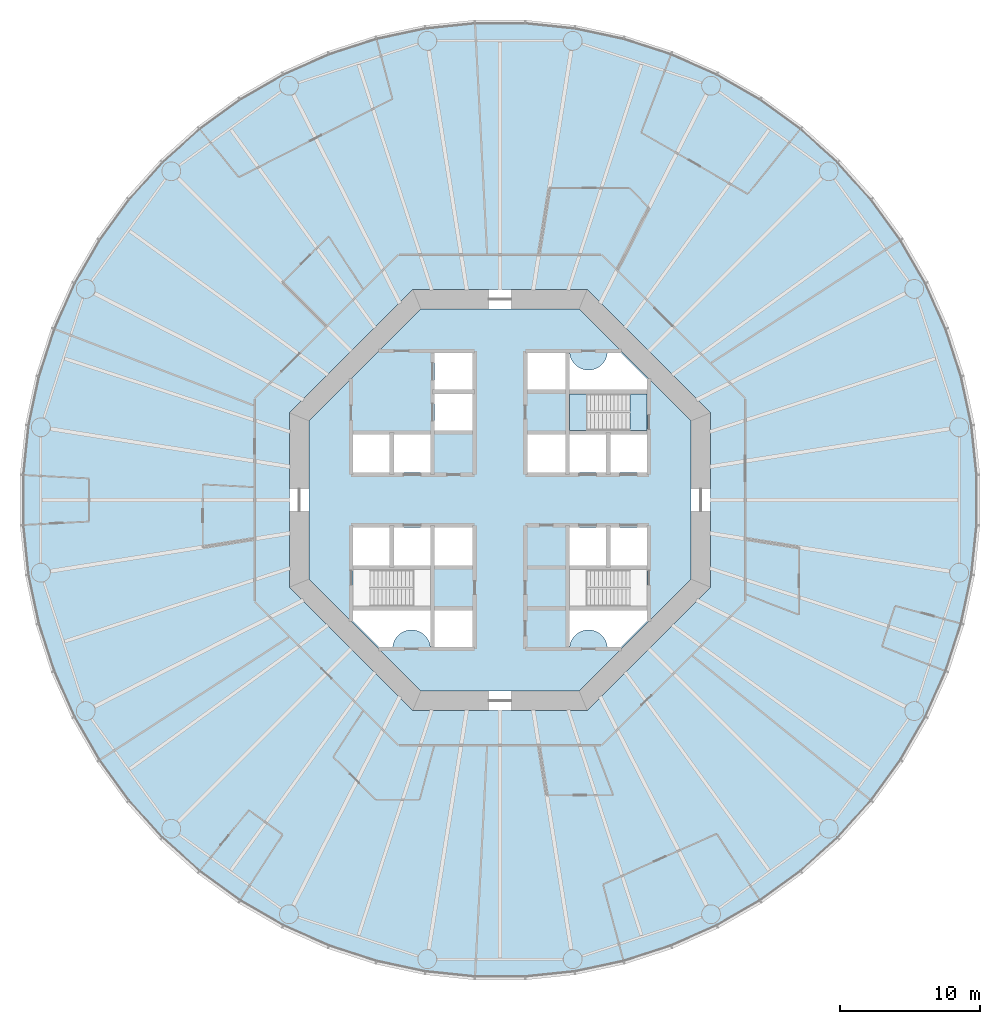
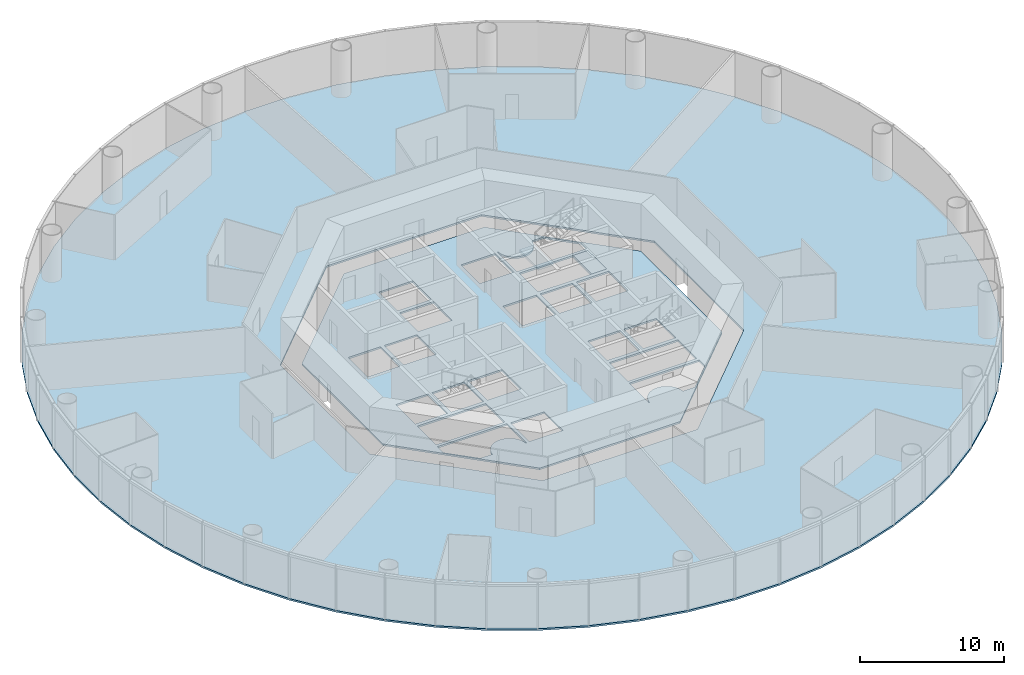
# One storey, part 2 of 13: 4 slabs, 1 element without a shape of its own.
"""IFC4 building model written with IfcOpenShell, lengths in metres."""

import ifcopenshell
import ifcopenshell.guid

model = None  # the IFC model being written
_history = None  # IfcOwnerHistory: only IFC2X3 demands one
_inside = {}  # id of a spatial element -> (the spatial element, [elements in it])
_under = {}  # id of a project, library or spatial element -> (it, [spatial elements below it])
_declared = {}  # id of a project -> (the project, [libraries it declares])
_typed = {}  # id of a type object -> (the type object, [elements of that type])
_made_of = {}  # id of a material, layer set ... -> (it, [elements and type objects made of it])


def new_model(schema):
    """Start an empty IFC model of exactly this schema.

    Asked for "IFC4X3", IfcOpenShell would pick the latest addendum, in which some entities
    have other attributes; the version numbers below select the first issue.
    IFC2X3 requires an IfcOwnerHistory on every rooted entity: one is made here for all.
    """
    global model, _history
    if schema == "IFC4X3":
        model = ifcopenshell.file(schema_version=(4, 3, 0, 0))
    else:
        model = ifcopenshell.file(schema=schema)
    _inside.clear()
    _under.clear()
    _declared.clear()
    _typed.clear()
    _made_of.clear()
    _history = None
    if model.schema == "IFC2X3":
        org = make("IfcOrganization", Name="unknown")
        user = make(
            "IfcPersonAndOrganization",
            ThePerson=make("IfcPerson", FamilyName="unknown"),
            TheOrganization=org,
        )
        app = make(
            "IfcApplication",
            ApplicationDeveloper=org,
            Version="unknown",
            ApplicationFullName="unknown",
            ApplicationIdentifier="unknown",
        )
        _history = make(
            "IfcOwnerHistory",
            OwningUser=user,
            OwningApplication=app,
            ChangeAction="ADDED",
            CreationDate=0,
        )
    return model


def make(cls, **values):
    """One entity of the class cls with the attributes given. An attribute that is None is left unset."""
    return model.create_entity(
        cls, **{name: value for name, value in values.items() if value is not None}
    )


def rooted(cls, **values):
    """An entity with a GlobalId (a new one), such as an element, a storey or a relation."""
    return make(cls, GlobalId=ifcopenshell.guid.new(), OwnerHistory=_history, **values)


def si_unit(unit_type, name, prefix=None):
    """IfcSIUnit, for example si_unit("LENGTHUNIT", "METRE", prefix="MILLI")."""
    return make("IfcSIUnit", UnitType=unit_type, Prefix=prefix, Name=name)


def assignment(units):
    """IfcUnitAssignment: the units of a project."""
    return None if units is None else make("IfcUnitAssignment", Units=units)


def point(xyz):
    """IfcCartesianPoint."""
    return None if xyz is None else make("IfcCartesianPoint", Coordinates=xyz)


def direction(xyz):
    """IfcDirection."""
    return None if xyz is None else make("IfcDirection", DirectionRatios=xyz)


def frame(location, z_axis=None, x_axis=None):
    """IfcAxis2Placement3D, a coordinate frame: its origin and axes. An axis left out is left unset."""
    return make(
        "IfcAxis2Placement3D",
        Location=point(location),
        Axis=direction(z_axis),
        RefDirection=direction(x_axis),
    )


def origin():
    """The frame at (0, 0, 0) with its axes left unset."""
    return frame((0.0, 0.0, 0.0))


def place(relative_to, where):
    """IfcLocalPlacement: puts the frame where relative to a parent placement (None: the world)."""
    return make(
        "IfcLocalPlacement", PlacementRelTo=relative_to, RelativePlacement=where
    )


def context(
    kind, dimensions, precision=None, world=None, true_north=None, identifier=None
):
    """IfcGeometricRepresentationContext, for example the 3D "Model" context."""
    return make(
        "IfcGeometricRepresentationContext",
        ContextIdentifier=identifier,
        ContextType=kind,
        CoordinateSpaceDimension=dimensions,
        Precision=precision,
        WorldCoordinateSystem=world,
        TrueNorth=true_north,
    )


def subcontext(parent, identifier, kind, view, scale=None):
    """IfcGeometricRepresentationSubContext, for example "Body" below "Model"."""
    return make(
        "IfcGeometricRepresentationSubContext",
        ContextIdentifier=identifier,
        ContextType=kind,
        ParentContext=parent,
        TargetScale=scale,
        TargetView=view,
    )


def project(units=None, contexts=None):
    """IfcProject with its units and contexts."""
    return rooted(
        "IfcProject",
        Name="project",
        RepresentationContexts=contexts,
        UnitsInContext=assignment(units),
    )


def spatial(cls, under=None, at=None, **own):
    """A site, building, storey or space (cls), placed at a placement, below another one or the project."""
    s = rooted(cls, ObjectPlacement=at, **own)
    if under is not None:
        _under.setdefault(under.id(), (under, []))[1].append(s)
    return s


def polyline(points):
    """IfcPolyline through the points."""
    return make("IfcPolyline", Points=[point(p) for p in points])


def outline(outer, holes=None, kind="AREA"):
    """IfcArbitraryClosedProfileDef: a profile drawn as a closed curve; with holes, ...WithVoids."""
    if holes is None:
        return make("IfcArbitraryClosedProfileDef", ProfileType=kind, OuterCurve=outer)
    return make(
        "IfcArbitraryProfileDefWithVoids",
        ProfileType=kind,
        OuterCurve=outer,
        InnerCurves=holes,
    )


def extrude(swept, where, along, depth):
    """IfcExtrudedAreaSolid: the profile swept, set in the frame where, extruded along a direction by depth."""
    return make(
        "IfcExtrudedAreaSolid",
        SweptArea=swept,
        Position=where,
        ExtrudedDirection=direction(along),
        Depth=depth,
    )


def shape(context_of_items, identifier, shape_type, items):
    """IfcShapeRepresentation: the items that make up one representation, for example the "Body"."""
    return make(
        "IfcShapeRepresentation",
        ContextOfItems=context_of_items,
        RepresentationIdentifier=identifier,
        RepresentationType=shape_type,
        Items=items,
    )


def material(Name=None, Category=None):
    """IfcMaterial."""
    return make("IfcMaterial", Name=Name, Category=Category)


def layer(
    of_material, thickness, ventilated=None, Name=None, Category=None, Priority=None
):
    """IfcMaterialLayer: one layer of a wall or slab, of a material (None: an air gap)."""
    return make(
        "IfcMaterialLayer",
        Material=of_material,
        LayerThickness=thickness,
        IsVentilated=ventilated,
        Name=Name,
        Category=Category,
        Priority=Priority,
    )


def layer_set(layers, Name=None):
    """IfcMaterialLayerSet."""
    return make("IfcMaterialLayerSet", MaterialLayers=layers, LayerSetName=Name)


def made_of(thing, what):
    """Note that an element or type object is made of a material, layer set ...; save() writes the relation."""
    if what is not None:
        _made_of.setdefault(what.id(), (what, []))[1].append(thing)
    return thing


def type_object(cls, material=None, **own):
    """A type object (cls), such as IfcWallType, which elements share."""
    return made_of(rooted(cls, **own), material)


def element(
    cls,
    number,
    at=None,
    inside=None,
    cuts=None,
    type_object=None,
    material=None,
    context=None,
    identifier="Body",
    shape_type=None,
    held_by="IfcProductDefinitionShape",
    body=None,
    shapes=None,
    **own,
):
    """One element of the class cls, such as IfcWall. Its Tag is "e" and its number.

    at: its placement. inside: the storey or other place that contains it. cuts: it is an
    opening in that element (IfcRelVoidsElement). A single representation is given by context,
    identifier, shape_type and body (its items); several are given by shapes. held_by: the class
    of the entity that holds the representations. save() writes the other relations.
    """
    e = rooted(cls, Tag="e%d" % number, ObjectPlacement=at, **own)
    if body is not None:
        shapes = [shape(context, identifier, shape_type, body)]
    if shapes is not None:
        e.Representation = make(held_by, Representations=shapes)
    if inside is not None:
        _inside.setdefault(inside.id(), (inside, []))[1].append(e)
    if cuts is not None:
        rooted(
            "IfcRelVoidsElement", RelatingBuildingElement=cuts, RelatedOpeningElement=e
        )
    if type_object is not None:
        _typed.setdefault(type_object.id(), (type_object, []))[1].append(e)
    return made_of(e, material)


def aggregate(whole, parts):
    """IfcRelAggregates: a whole, such as a stair, and the parts it consists of."""
    return rooted("IfcRelAggregates", RelatingObject=whole, RelatedObjects=parts)


def save(model, path):
    """Write the relations noted so far, then the file.

    IfcRelAggregates (storeys below a building ...), IfcRelContainedInSpatialStructure (elements
    in a storey), IfcRelDefinesByType, IfcRelAssociatesMaterial and IfcRelDeclares: one each for
    every whole, place, type object, material and project.
    """
    for whole, parts in _under.values():
        aggregate(whole, parts)
    for where, things in _inside.values():
        rooted(
            "IfcRelContainedInSpatialStructure",
            RelatedElements=things,
            RelatingStructure=where,
        )
    for kind, things in _typed.values():
        rooted("IfcRelDefinesByType", RelatedObjects=things, RelatingType=kind)
    for what, things in _made_of.values():
        rooted("IfcRelAssociatesMaterial", RelatedObjects=things, RelatingMaterial=what)
    for by, libraries in _declared.values():
        rooted("IfcRelDeclares", RelatingContext=by, RelatedDefinitions=libraries)
    model.write(path)


model = new_model("IFC4")

# Units and contexts
model_context = context("Model", 3, precision=1e-05, world=origin(), true_north=direction((0.0, 1.0)))
body_context = subcontext(model_context, "Body", "Model", "MODEL_VIEW")
ifc_project = project(units=[si_unit("LENGTHUNIT", "METRE"), si_unit("AREAUNIT", "SQUARE_METRE"), si_unit("VOLUMEUNIT", "CUBIC_METRE"), si_unit("PLANEANGLEUNIT", "RADIAN"), si_unit("MASSUNIT", "GRAM", prefix="KILO")], contexts=[model_context])

# Site, building, storey
site_placement = place(None, origin())
site = spatial("IfcSite", under=ifc_project, at=site_placement, CompositionType="ELEMENT")
building_placement = place(site_placement, origin())
building = spatial("IfcBuilding", under=site, at=building_placement, Name="Entoto Ring Tower", CompositionType="ELEMENT")
storey_placement = place(building_placement, frame((0.0, 0.0, 30.0)))
storey = spatial("IfcBuildingStorey", under=building, at=storey_placement, Name="L05", CompositionType="ELEMENT", Elevation=30.0)

# Slabs
ifc_material_1 = material(Name="Concrete C30/37", Category="concrete")
ifc_layer_1 = layer(ifc_material_1, 0.14990234375)
ifc_layer_set_1 = layer_set([ifc_layer_1], Name="Concrete C30/37")
slab_type_1 = type_object("IfcSlabType", Name="Composite floor slab 150 mm", PredefinedType="FLOOR", material=ifc_layer_set_1)
slab_1_placement = place(storey_placement, frame((0.0, 0.0, -0.14990234375)))
element("IfcSlab", 1, at=slab_1_placement, inside=storey, type_object=slab_type_1, Name="Floor slab L05", PredefinedType="FLOOR", context=body_context, shape_type="SweptSolid", body=[
    extrude(outline(polyline([(123.68017578125, 85.33447265625), (122.93798828125, 88.82568359375), (121.835205078125, 92.220458984375), (120.38330078125, 95.48095703125), (118.5986328125, 98.572265625), (116.500732421875, 101.459716796875), (114.1123046875, 104.1123046875), (111.459716796875, 106.500732421875), (108.572265625, 108.5986328125), (105.48095703125, 110.38330078125), (102.220458984375, 111.835205078125), (98.82568359375, 112.93798828125), (95.33447265625, 113.68017578125), (91.78466796875, 114.05322265625), (88.21533203125, 114.05322265625), (84.66552734375, 113.68017578125), (81.17431640625, 112.93798828125), (77.779541015625, 111.835205078125), (74.51904296875, 110.38330078125), (71.427734375, 108.5986328125), (68.540283203125, 106.500732421875), (65.8876953125, 104.1123046875), (63.499267578125, 101.459716796875), (61.4013671875, 98.572265625), (59.61669921875, 95.48095703125), (58.164794921875, 92.220458984375), (57.06201171875, 88.82568359375), (56.31982421875, 85.33447265625), (55.94677734375, 81.78466796875), (55.94677734375, 78.21533203125), (56.31982421875, 74.66552734375), (57.06201171875, 71.17431640625), (58.164794921875, 67.779541015625), (59.61669921875, 64.51904296875), (61.4013671875, 61.427734375), (63.499267578125, 58.540283203125), (65.8876953125, 55.8876953125), (68.540283203125, 53.499267578125), (71.427734375, 51.4013671875), (74.51904296875, 49.61669921875), (77.779541015625, 48.164794921875), (81.17431640625, 47.06201171875), (84.66552734375, 46.31982421875), (88.21533203125, 45.94677734375), (91.78466796875, 45.94677734375), (95.33447265625, 46.31982421875), (98.82568359375, 47.06201171875), (102.220458984375, 48.164794921875), (105.48095703125, 49.61669921875), (108.572265625, 51.4013671875), (111.459716796875, 53.499267578125), (114.1123046875, 55.8876953125), (116.500732421875, 58.540283203125), (118.5986328125, 61.427734375), (120.38330078125, 64.51904296875), (121.835205078125, 67.779541015625), (122.93798828125, 71.17431640625), (123.68017578125, 74.66552734375), (124.05322265625, 78.21533203125), (124.05322265625, 81.78466796875), (123.68017578125, 85.33447265625)]), holes=[polyline([(105.0, 73.786865234375), (105.0, 86.213134765625), (96.213134765625, 95.0), (83.786865234375, 95.0), (75.0, 86.213134765625), (75.0, 73.786865234375), (83.786865234375, 65.0), (96.213134765625, 65.0), (105.0, 73.786865234375)])]), origin(), (0.0, 0.0, 1.0), 0.14990234375),
])
ifc_material_2 = material(Name="Concrete C40/50", Category="concrete")
ifc_layer_2 = layer(ifc_material_2, 0.14990234375)
ifc_layer_set_2 = layer_set([ifc_layer_2], Name="Concrete C40/50")
slab_type_2 = type_object("IfcSlabType", Name="Core floor slab 150 mm reinforced concrete C40/50", PredefinedType="FLOOR", material=ifc_layer_set_2)
slab_2_placement = place(storey_placement, frame((0.0, 0.0, -0.14990234375)))
element("IfcSlab", 2, at=slab_2_placement, inside=storey, type_object=slab_type_2, Name="Core floor L05", PredefinedType="FLOOR", context=body_context, shape_type="SweptSolid", body=[
    extrude(outline(polyline([(103.60009765625, 74.36669921875), (103.60009765625, 85.63330078125), (95.63330078125, 93.60009765625), (84.36669921875, 93.60009765625), (76.39990234375, 85.63330078125), (76.39990234375, 74.36669921875), (84.36669921875, 66.39990234375), (95.63330078125, 66.39990234375), (103.60009765625, 74.36669921875)]), holes=[polyline([(100.449951171875, 84.949951171875), (100.449951171875, 87.550048828125), (94.949951171875, 87.550048828125), (94.949951171875, 84.949951171875), (100.449951171875, 84.949951171875)]), polyline([(85.050048828125, 72.449951171875), (85.050048828125, 75.050048828125), (79.550048828125, 75.050048828125), (79.550048828125, 72.449951171875), (85.050048828125, 72.449951171875)]), polyline([(100.449951171875, 72.449951171875), (100.449951171875, 75.050048828125), (94.949951171875, 75.050048828125), (94.949951171875, 72.449951171875), (100.449951171875, 72.449951171875)]), polyline([(94.949951171875, 81.949951171875), (97.550048828125, 81.949951171875), (97.550048828125, 84.64990234375), (94.949951171875, 84.64990234375), (94.949951171875, 81.949951171875)]), polyline([(97.85009765625, 81.949951171875), (100.449951171875, 81.949951171875), (100.449951171875, 84.64990234375), (97.85009765625, 84.64990234375), (97.85009765625, 81.949951171875)]), polyline([(82.449951171875, 81.949951171875), (85.050048828125, 81.949951171875), (85.050048828125, 84.64990234375), (82.449951171875, 84.64990234375), (82.449951171875, 81.949951171875)]), polyline([(94.949951171875, 75.35009765625), (97.550048828125, 75.35009765625), (97.550048828125, 78.050048828125), (94.949951171875, 78.050048828125), (94.949951171875, 75.35009765625)]), polyline([(97.85009765625, 75.35009765625), (100.449951171875, 75.35009765625), (100.449951171875, 78.050048828125), (97.85009765625, 78.050048828125), (97.85009765625, 75.35009765625)]), polyline([(82.449951171875, 75.35009765625), (85.050048828125, 75.35009765625), (85.050048828125, 78.050048828125), (82.449951171875, 78.050048828125), (82.449951171875, 75.35009765625)]), polyline([(79.550048828125, 81.949951171875), (82.14990234375, 81.949951171875), (82.14990234375, 84.64990234375), (79.550048828125, 84.64990234375), (79.550048828125, 81.949951171875)]), polyline([(79.550048828125, 75.35009765625), (82.14990234375, 75.35009765625), (82.14990234375, 78.050048828125), (79.550048828125, 78.050048828125), (79.550048828125, 75.35009765625)]), polyline([(91.949951171875, 87.85009765625), (94.64990234375, 87.85009765625), (94.64990234375, 90.449951171875), (91.949951171875, 90.449951171875), (91.949951171875, 87.85009765625)]), polyline([(85.35009765625, 69.550048828125), (88.050048828125, 69.550048828125), (88.050048828125, 72.14990234375), (85.35009765625, 72.14990234375), (85.35009765625, 69.550048828125)]), polyline([(91.949951171875, 81.949951171875), (94.64990234375, 81.949951171875), (94.64990234375, 84.64990234375), (91.949951171875, 84.64990234375), (91.949951171875, 81.949951171875)]), polyline([(85.35009765625, 75.35009765625), (88.050048828125, 75.35009765625), (88.050048828125, 78.050048828125), (85.35009765625, 78.050048828125), (85.35009765625, 75.35009765625)]), polyline([(85.35009765625, 84.949951171875), (88.050048828125, 84.949951171875), (88.050048828125, 87.550048828125), (85.35009765625, 87.550048828125), (85.35009765625, 84.949951171875)]), polyline([(85.35009765625, 87.85009765625), (88.050048828125, 87.85009765625), (88.050048828125, 90.449951171875), (85.35009765625, 90.449951171875), (85.35009765625, 87.85009765625)]), polyline([(94.89990234375, 90.5), (94.89990234375, 87.800048828125), (100.5, 87.800048828125), (100.5, 88.591796875), (98.591796875, 90.5), (97.64501953125, 90.5), (97.6435546875, 90.4677734375), (97.6240234375, 90.336669921875), (97.591796875, 90.2080078125), (97.547119140625, 90.08349609375), (97.490478515625, 89.963623046875), (97.422607421875, 89.85009765625), (97.343505859375, 89.74365234375), (97.254638671875, 89.6455078125), (97.156494140625, 89.556396484375), (97.050048828125, 89.4775390625), (96.936279296875, 89.409423828125), (96.816650390625, 89.352783203125), (96.69189453125, 89.30810546875), (96.5634765625, 89.27587890625), (96.432373046875, 89.256591796875), (96.300048828125, 89.25), (96.167724609375, 89.256591796875), (96.03662109375, 89.27587890625), (95.908203125, 89.30810546875), (95.783447265625, 89.352783203125), (95.66357421875, 89.409423828125), (95.550048828125, 89.4775390625), (95.443603515625, 89.556396484375), (95.345458984375, 89.6455078125), (95.25634765625, 89.74365234375), (95.177490234375, 89.85009765625), (95.109375, 89.963623046875), (95.052734375, 90.08349609375), (95.008056640625, 90.2080078125), (94.975830078125, 90.336669921875), (94.95654296875, 90.4677734375), (94.954833984375, 90.5), (94.89990234375, 90.5)]), polyline([(79.5, 71.408203125), (81.408203125, 69.5), (82.35498046875, 69.5), (82.3564453125, 69.5322265625), (82.3759765625, 69.663330078125), (82.408203125, 69.7919921875), (82.452880859375, 69.91650390625), (82.509521484375, 70.036376953125), (82.577392578125, 70.14990234375), (82.656494140625, 70.25634765625), (82.745361328125, 70.3544921875), (82.843505859375, 70.443603515625), (82.949951171875, 70.5224609375), (83.063720703125, 70.590576171875), (83.183349609375, 70.647216796875), (83.30810546875, 70.69189453125), (83.4365234375, 70.72412109375), (83.567626953125, 70.743408203125), (83.699951171875, 70.75), (83.832275390625, 70.743408203125), (83.96337890625, 70.72412109375), (84.091796875, 70.69189453125), (84.216552734375, 70.647216796875), (84.33642578125, 70.590576171875), (84.449951171875, 70.5224609375), (84.556396484375, 70.443603515625), (84.654541015625, 70.3544921875), (84.74365234375, 70.25634765625), (84.822509765625, 70.14990234375), (84.890625, 70.036376953125), (84.947265625, 69.91650390625), (84.991943359375, 69.7919921875), (85.024169921875, 69.663330078125), (85.04345703125, 69.5322265625), (85.045166015625, 69.5), (85.10009765625, 69.5), (85.10009765625, 72.199951171875), (79.5, 72.199951171875), (79.5, 71.408203125)]), polyline([(97.64501953125, 69.5), (98.591796875, 69.5), (100.5, 71.408203125), (100.5, 72.199951171875), (94.89990234375, 72.199951171875), (94.89990234375, 69.5), (94.954833984375, 69.5), (94.95654296875, 69.5322265625), (94.975830078125, 69.663330078125), (95.008056640625, 69.7919921875), (95.052734375, 69.91650390625), (95.109375, 70.036376953125), (95.177490234375, 70.14990234375), (95.25634765625, 70.25634765625), (95.345458984375, 70.3544921875), (95.443603515625, 70.443603515625), (95.550048828125, 70.5224609375), (95.66357421875, 70.590576171875), (95.783447265625, 70.647216796875), (95.908203125, 70.69189453125), (96.03662109375, 70.72412109375), (96.167724609375, 70.743408203125), (96.300048828125, 70.75), (96.432373046875, 70.743408203125), (96.5634765625, 70.72412109375), (96.69189453125, 70.69189453125), (96.816650390625, 70.647216796875), (96.936279296875, 70.590576171875), (97.050048828125, 70.5224609375), (97.156494140625, 70.443603515625), (97.254638671875, 70.3544921875), (97.343505859375, 70.25634765625), (97.422607421875, 70.14990234375), (97.490478515625, 70.036376953125), (97.547119140625, 69.91650390625), (97.591796875, 69.7919921875), (97.6240234375, 69.663330078125), (97.6435546875, 69.5322265625), (97.64501953125, 69.5)])]), origin(), (0.0, 0.0, 1.0), 0.14990234375),
])

# Stair, slabs
ifc_material_3 = material(Name="Concrete C40/50", Category="concrete")
stair_type = type_object("IfcStairType", Name="Exit stair 1200 mm dog-leg reinforced concrete", PredefinedType="HALF_TURN_STAIR", material=ifc_material_3)
stair_placement = place(storey_placement, origin())
stair = element("IfcStair", 3, at=stair_placement, inside=storey, type_object=stair_type, Name="Exit stair 1", PredefinedType="HALF_TURN_STAIR")
ifc_material_4 = material(Name="Concrete C40/50", Category="concrete")
ifc_layer_3 = layer(ifc_material_4, 0.199951171875)
ifc_layer_set_3 = layer_set([ifc_layer_3], Name="Concrete C40/50")
slab_type_3 = type_object("IfcSlabType", Name="Stair landing 200 mm reinforced concrete", PredefinedType="LANDING", material=ifc_layer_set_3)
slab_3_placement = place(storey_placement, frame((0.0, 0.0, -0.199951171875)))
slab_3 = element("IfcSlab", 4, at=slab_3_placement, type_object=slab_type_3, Name="ST1 landing 1", PredefinedType="LANDING", context=body_context, shape_type="SweptSolid", body=[
    extrude(outline(polyline([(100.449951171875, 84.949951171875), (100.449951171875, 87.550048828125), (99.25, 87.550048828125), (99.25, 84.949951171875), (100.449951171875, 84.949951171875)])), origin(), (0.0, 0.0, 1.0), 0.199951171875),
])
slab_4_placement = place(storey_placement, frame((0.0, 0.0, 1.800048828125)))
slab_4 = element("IfcSlab", 5, at=slab_4_placement, type_object=slab_type_3, Name="ST1 landing 2", PredefinedType="LANDING", context=body_context, shape_type="SweptSolid", body=[
    extrude(outline(polyline([(94.949951171875, 84.949951171875), (96.169921875, 84.949951171875), (96.169921875, 87.550048828125), (94.949951171875, 87.550048828125), (94.949951171875, 84.949951171875)])), origin(), (0.0, 0.0, 1.0), 0.199951171875),
])
aggregate(stair, [slab_3, slab_4])

save(model, "model.ifc")
